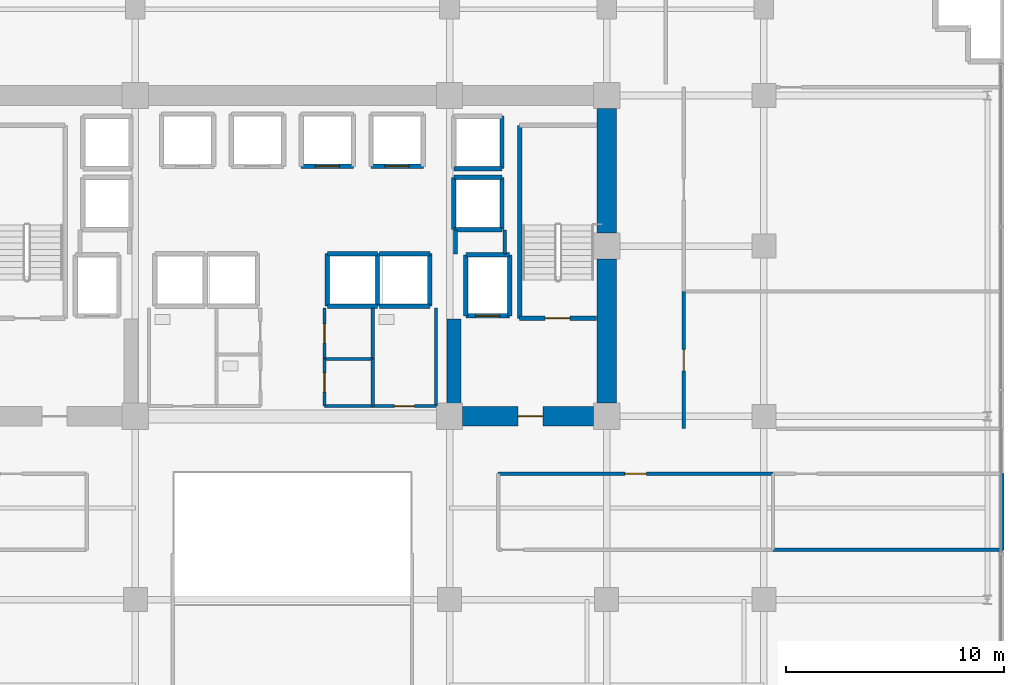
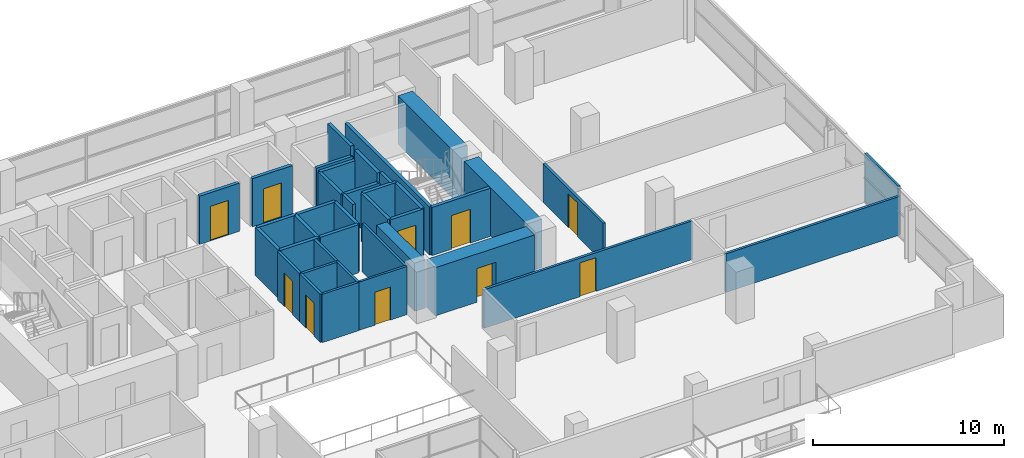
# One storey, part 26 of 31: 39 walls, 10 doors, 10 openings.
"""IFC4 building model written with IfcOpenShell, lengths in metres."""

from ifc_helpers import new_model, si_unit, direction, frame, frame_2d, origin, place, context, subcontext, project, spatial, rectangle, extrude, source, transform, mapped, material, layer, layer_set, type_object, element, fill, save


model = new_model("IFC4")

# Units and contexts
model_context = context("Model", 3, precision=1e-05, world=origin(), true_north=direction((0.0, 1.0)))
body_context = subcontext(model_context, "Body", "Model", "MODEL_VIEW")
ifc_project = project(units=[si_unit("LENGTHUNIT", "METRE"), si_unit("AREAUNIT", "SQUARE_METRE"), si_unit("VOLUMEUNIT", "CUBIC_METRE"), si_unit("PLANEANGLEUNIT", "RADIAN"), si_unit("MASSUNIT", "GRAM", prefix="KILO")], contexts=[model_context])

# Site, building, storey
site_placement = place(None, origin())
site = spatial("IfcSite", under=ifc_project, at=site_placement, CompositionType="ELEMENT")
building_placement = place(site_placement, origin())
building = spatial("IfcBuilding", under=site, at=building_placement, Name="Zarnakvel Exchange Tower", CompositionType="ELEMENT")
storey_placement = place(building_placement, frame((0.0, 0.0, 67.0)))
storey = spatial("IfcBuildingStorey", under=building, at=storey_placement, Name="L18", CompositionType="ELEMENT", Elevation=67.0)

# Walls
ifc_material_1 = material(Name="Concrete C80/95", Category="concrete")
ifc_layer_1 = layer(ifc_material_1, 0.89990234375)
ifc_layer_set_1 = layer_set([ifc_layer_1], Name="Concrete C80/95")
wall_type_1 = type_object("IfcWallType", Name="CW-C1", PredefinedType="SHEAR", material=ifc_layer_set_1)
wall_1_placement = place(storey_placement, frame((14.39990234375, -0.60009765625, 0.0), z_axis=(0.0, 0.0, 1.0), x_axis=(0.0, 1.0, 0.0)))
element("IfcWall", 1, at=wall_1_placement, inside=storey, type_object=wall_type_1, Name="L18 Rear Core Shear Wall E1 (CW-C1)", PredefinedType="SHEAR", context=body_context, shape_type="SweptSolid", body=[
    extrude(rectangle(XDim=6.60009765625, YDim=0.89990234375, at=frame_2d((3.300048828125, 0.0))), origin(), (0.0, 0.0, 1.0), 3.074951171875),
])
wall_2_placement = place(storey_placement, frame((14.39990234375, 7.199951171875, 0.0), z_axis=(0.0, 0.0, 1.0), x_axis=(0.0, 1.0, 0.0)))
element("IfcWall", 2, at=wall_2_placement, inside=storey, type_object=wall_type_1, Name="L18 Rear Core Shear Wall E2 (CW-C1)", PredefinedType="SHEAR", context=body_context, shape_type="SweptSolid", body=[
    extrude(rectangle(XDim=5.699951171875, YDim=0.89990234375, at=frame_2d((2.85009765625, 0.0))), origin(), (0.0, 0.0, 1.0), 3.074951171875),
])

# Wall, opening, door
wall_3_placement = place(storey_placement, frame((13.800048828125, -1.199951171875, 0.0), z_axis=(0.0, 0.0, 1.0), x_axis=(-1.0, 0.0, 0.0)))
wall_3 = element("IfcWall", 3, at=wall_3_placement, inside=storey, type_object=wall_type_1, Name="L18 Rear Core Shear Wall SE (CW-C1)", PredefinedType="SHEAR", context=body_context, shape_type="SweptSolid", body=[
    extrude(rectangle(XDim=6.0, YDim=0.89990234375, at=frame_2d((3.0, 0.0))), origin(), (0.0, 0.0, 1.0), 3.074951171875),
])
opening_1_placement = place(wall_3_placement, frame((2.324951171875, 0.0, 0.0)))
opening_1 = element("IfcOpeningElement", 4, at=opening_1_placement, cuts=wall_3, Name="Opening D-L18-04", PredefinedType="OPENING", context=body_context, shape_type="SweptSolid", body=[
    extrude(rectangle(XDim=1.14990234375, YDim=2.14990234375, at=frame_2d((0.574951171875, 1.074951171875))), frame((0.0, 0.4599609375, 0.0), z_axis=(0.0, -1.0, 0.0), x_axis=(1.0, 0.0, 0.0)), (0.0, 0.0, 1.0), 0.919921875),
])
ifc_material_2 = material(Name="Painted Galvanised Steel S355", Category="steel")
door_type_1 = type_object("IfcDoorType", Name="DT-04", OperationType="NOTDEFINED", PredefinedType="DOOR", material=ifc_material_2)
shared_shape_1 = source(origin(), body_context, "Body", "SweptSolid", [
    extrude(rectangle(XDim=1.14990234375, YDim=2.14990234375, at=frame_2d((0.574951171875, 1.074951171875))), frame((0.0, 0.02490234375, 0.0), z_axis=(0.0, -1.0, 0.0), x_axis=(1.0, 0.0, 0.0)), (0.0, 0.0, 1.0), 0.050048828125),
])
door_1_placement = place(opening_1_placement, origin())
door_1 = element("IfcDoor", 5, at=door_1_placement, inside=storey, type_object=door_type_1, Name="L18 Firefighting Lobby East Door D-L18-04", OperationType="SINGLE_SWING_RIGHT", OverallHeight=2.14990234375, OverallWidth=1.14990234375, PredefinedType="DOOR", context=body_context, shape_type="MappedRepresentation", body=[
    mapped(shared_shape_1, transform((0.0, 0.0, 0.0), x_axis=(1.0, 0.0, 0.0), y_axis=(0.0, 1.0, 0.0), z_axis=(0.0, 0.0, 1.0), scale=1.0)),
])
fill(opening_1, door_1)

# Walls
ifc_layer_2 = layer(ifc_material_1, 0.64990234375)
ifc_layer_set_2 = layer_set([ifc_layer_2], Name="Concrete C80/95")
wall_type_2 = type_object("IfcWallType", Name="CW-C2", PredefinedType="SHEAR", material=ifc_layer_set_2)
wall_4_placement = place(storey_placement, frame((7.39990234375, -0.75, 0.0), z_axis=(0.0, 0.0, 1.0), x_axis=(0.0, 1.0, 0.0)))
element("IfcWall", 6, at=wall_4_placement, inside=storey, type_object=wall_type_2, Name="L18 Rear Core Shear Wall IE (CW-C2)", PredefinedType="SHEAR", context=body_context, shape_type="SweptSolid", body=[
    extrude(rectangle(XDim=4.0, YDim=0.64990234375, at=frame_2d((2.0, 0.0))), origin(), (0.0, 0.0, 1.0), 3.074951171875),
])
ifc_material_3 = material(Name="Fire-Rated Gypsum Stud Partition", Category="gypsum")
ifc_layer_3 = layer(ifc_material_3, 0.14990234375)
ifc_layer_set_3 = layer_set([ifc_layer_3], Name="Fire-Rated Gypsum Stud Partition")
wall_type_3 = type_object("IfcWallType", Name="PT-01", PredefinedType="PARTITIONING", material=ifc_layer_set_3)
for number, where, z_axis, x_axis, name in (
    (7, (3.679931640625, -0.72998046875, 0.0), (0.0, 0.0, 1.0), (-1.0, 0.0, 0.0), "L18 Partition Wall PWALL-L18-018 (PT-01)"),
    (8, (1.469970703125, 1.429931640625, 0.0), (0.0, 0.0, 1.0), (1.0, 0.0, 0.0), "L18 Partition Wall PWALL-L18-019 (PT-01)"),
):
    element("IfcWall", number, at=place(storey_placement, frame(where, z_axis=z_axis, x_axis=x_axis)), inside=storey, type_object=wall_type_3, Name=name, PredefinedType="PARTITIONING", context=body_context, shape_type="SweptSolid", body=[
        extrude(rectangle(XDim=2.2099609375, YDim=0.14990234375, at=frame_2d((1.10498046875, 0.0))), origin(), (0.0, 0.0, 1.0), 3.074951171875),
    ])

# Wall, opening, door
wall_5_placement = place(storey_placement, frame((1.469970703125, -0.72998046875, 0.0), z_axis=(0.0, 0.0, 1.0), x_axis=(0.0, 1.0, 0.0)))
wall_5 = element("IfcWall", 9, at=wall_5_placement, inside=storey, type_object=wall_type_3, Name="L18 Partition Wall PWALL-L18-020 (PT-01)", PredefinedType="PARTITIONING", context=body_context, shape_type="SweptSolid", body=[
    extrude(rectangle(XDim=2.159912109375, YDim=0.14990234375, at=frame_2d((1.080078125, 0.0))), origin(), (0.0, 0.0, 1.0), 3.074951171875),
])
opening_2_placement = place(wall_5_placement, frame((0.639892578125, 0.0, 0.0)))
opening_2 = element("IfcOpeningElement", 10, at=opening_2_placement, cuts=wall_5, Name="Opening D-L18-08", PredefinedType="OPENING", context=body_context, shape_type="SweptSolid", body=[
    extrude(rectangle(XDim=0.8798828125, YDim=2.10009765625, at=frame_2d((0.43994140625, 1.050048828125))), frame((0.0, 0.0849609375, 0.0), z_axis=(0.0, -1.0, 0.0), x_axis=(1.0, 0.0, 0.0)), (0.0, 0.0, 1.0), 0.169921875),
])
door_type_2 = type_object("IfcDoorType", Name="DT-08", OperationType="NOTDEFINED", PredefinedType="DOOR", material=ifc_material_2)
shared_shape_2 = source(origin(), body_context, "Body", "SweptSolid", [
    extrude(rectangle(XDim=0.8798828125, YDim=2.10009765625, at=frame_2d((0.43994140625, 1.050048828125))), frame((0.0, 0.02490234375, 0.0), z_axis=(0.0, -1.0, 0.0), x_axis=(1.0, 0.0, 0.0)), (0.0, 0.0, 1.0), 0.050048828125),
])
door_2_placement = place(opening_2_placement, origin())
door_2 = element("IfcDoor", 11, at=door_2_placement, inside=storey, type_object=door_type_2, Name="L18 Janitor Store Door D-L18-08", OperationType="SINGLE_SWING_RIGHT", OverallHeight=2.10009765625, OverallWidth=0.8798828125, PredefinedType="DOOR", context=body_context, shape_type="MappedRepresentation", body=[
    mapped(shared_shape_2, transform((0.0, 0.0, 0.0), x_axis=(1.0, 0.0, 0.0), y_axis=(0.0, 1.0, 0.0), z_axis=(0.0, 0.0, 1.0), scale=1.0)),
])
fill(opening_2, door_2)

# Wall
wall_6_placement = place(storey_placement, frame((3.679931640625, 1.429931640625, 0.0), z_axis=(0.0, 0.0, 1.0), x_axis=(0.0, -1.0, 0.0)))
element("IfcWall", 12, at=wall_6_placement, inside=storey, type_object=wall_type_3, Name="L18 Partition Wall PWALL-L18-021 (PT-01)", PredefinedType="PARTITIONING", context=body_context, shape_type="SweptSolid", body=[
    extrude(rectangle(XDim=2.159912109375, YDim=0.14990234375, at=frame_2d((1.080078125, 0.0))), origin(), (0.0, 0.0, 1.0), 3.074951171875),
])

# Wall, opening, door
wall_7_placement = place(storey_placement, frame((1.469970703125, 1.429931640625, 0.0), z_axis=(0.0, 0.0, 1.0), x_axis=(0.0, 1.0, 0.0)))
wall_7 = element("IfcWall", 13, at=wall_7_placement, inside=storey, type_object=wall_type_3, Name="L18 Partition Wall PWALL-L18-022 (PT-01)", PredefinedType="PARTITIONING", context=body_context, shape_type="SweptSolid", body=[
    extrude(rectangle(XDim=2.330078125, YDim=0.14990234375, at=frame_2d((1.1650390625, 0.0))), origin(), (0.0, 0.0, 1.0), 3.074951171875),
])
opening_3_placement = place(wall_7_placement, frame((0.72998046875, 0.0, 0.0)))
opening_3 = element("IfcOpeningElement", 14, at=opening_3_placement, cuts=wall_7, Name="Opening D-L18-09", PredefinedType="OPENING", context=body_context, shape_type="SweptSolid", body=[
    extrude(rectangle(XDim=0.8798828125, YDim=2.14990234375, at=frame_2d((0.43994140625, 1.074951171875))), frame((0.0, 0.0849609375, 0.0), z_axis=(0.0, -1.0, 0.0), x_axis=(1.0, 0.0, 0.0)), (0.0, 0.0, 1.0), 0.169921875),
])
ifc_material_4 = material(Name="Timber Acoustic Veneer", Category="wood")
door_type_3 = type_object("IfcDoorType", Name="DT-05", OperationType="NOTDEFINED", PredefinedType="DOOR", material=ifc_material_4)
shared_shape_3 = source(origin(), body_context, "Body", "SweptSolid", [
    extrude(rectangle(XDim=0.8798828125, YDim=2.14990234375, at=frame_2d((0.43994140625, 1.074951171875))), frame((0.0, 0.02490234375, 0.0), z_axis=(0.0, -1.0, 0.0), x_axis=(1.0, 0.0, 0.0)), (0.0, 0.0, 1.0), 0.050048828125),
])
door_3_placement = place(opening_3_placement, origin())
door_3 = element("IfcDoor", 15, at=door_3_placement, inside=storey, type_object=door_type_3, Name="L18 Stationery Store Door D-L18-09", OperationType="SINGLE_SWING_LEFT", OverallHeight=2.14990234375, OverallWidth=0.8798828125, PredefinedType="DOOR", context=body_context, shape_type="MappedRepresentation", body=[
    mapped(shared_shape_3, transform((0.0, 0.0, 0.0), x_axis=(1.0, 0.0, 0.0), y_axis=(0.0, 1.0, 0.0), z_axis=(0.0, 0.0, 1.0), scale=1.0)),
])
fill(opening_3, door_3)

# Wall
wall_8_placement = place(storey_placement, frame((3.679931640625, 3.760009765625, 0.0), z_axis=(0.0, 0.0, 1.0), x_axis=(0.0, -1.0, 0.0)))
element("IfcWall", 16, at=wall_8_placement, inside=storey, type_object=wall_type_3, Name="L18 Partition Wall PWALL-L18-023 (PT-01)", PredefinedType="PARTITIONING", context=body_context, shape_type="SweptSolid", body=[
    extrude(rectangle(XDim=2.330078125, YDim=0.14990234375, at=frame_2d((1.1650390625, 0.0))), origin(), (0.0, 0.0, 1.0), 3.074951171875),
])

# Wall, opening, door
wall_9_placement = place(storey_placement, frame((9.429931640625, -3.830078125, 0.0), z_axis=(0.0, 0.0, 1.0), x_axis=(1.0, 0.0, 0.0)))
wall_9 = element("IfcWall", 17, at=wall_9_placement, inside=storey, type_object=wall_type_3, Name="L18 Partition Wall PWALL-L18-040 (PT-01)", PredefinedType="PARTITIONING", context=body_context, shape_type="SweptSolid", body=[
    extrude(rectangle(XDim=12.58544921875, YDim=0.14990234375, at=frame_2d((6.292724609375, 0.0))), origin(), (0.0, 0.0, 1.0), 2.465087890625),
])
opening_4_placement = place(wall_9_placement, frame((5.802978515625, 0.0, 0.0)))
opening_4 = element("IfcOpeningElement", 18, at=opening_4_placement, cuts=wall_9, Name="Opening D-L18-15", PredefinedType="OPENING", context=body_context, shape_type="SweptSolid", body=[
    extrude(rectangle(XDim=0.97998046875, YDim=2.14990234375, at=frame_2d((0.489990234375, 1.074951171875))), frame((0.0, 0.0849609375, 0.0), z_axis=(0.0, -1.0, 0.0), x_axis=(1.0, 0.0, 0.0)), (0.0, 0.0, 1.0), 0.169921875),
])
shared_shape_4 = source(origin(), body_context, "Body", "SweptSolid", [
    extrude(rectangle(XDim=0.97998046875, YDim=2.14990234375, at=frame_2d((0.489990234375, 1.074951171875))), frame((0.0, 0.02490234375, 0.0), z_axis=(0.0, -1.0, 0.0), x_axis=(1.0, 0.0, 0.0)), (0.0, 0.0, 1.0), 0.050048828125),
])
door_4_placement = place(opening_4_placement, origin())
door_4 = element("IfcDoor", 19, at=door_4_placement, inside=storey, type_object=door_type_3, Name="L18 Meeting Room Door D-L18-15", OperationType="SINGLE_SWING_LEFT", OverallHeight=2.14990234375, OverallWidth=0.97998046875, PredefinedType="DOOR", context=body_context, shape_type="MappedRepresentation", body=[
    mapped(shared_shape_4, transform((0.0, 0.0, 0.0), x_axis=(1.0, 0.0, 0.0), y_axis=(0.0, 1.0, 0.0), z_axis=(0.0, 0.0, 1.0), scale=1.0)),
])
fill(opening_4, door_4)

# Walls
wall_10_placement = place(storey_placement, frame((32.530029296875, -7.320068359375, 0.0), z_axis=(0.0, 0.0, 1.0), x_axis=(-1.0, 0.0, 0.0)))
element("IfcWall", 20, at=wall_10_placement, inside=storey, type_object=wall_type_3, Name="L18 Partition Wall PWALL-L18-043 (PT-01)", PredefinedType="PARTITIONING", context=body_context, shape_type="SweptSolid", body=[
    extrude(rectangle(XDim=10.5146484375, YDim=0.14990234375, at=frame_2d((5.25732421875, 0.0))), origin(), (0.0, 0.0, 1.0), 2.465087890625),
])
wall_11_placement = place(storey_placement, frame((32.530029296875, -3.830078125, 0.0), z_axis=(0.0, 0.0, 1.0), x_axis=(0.0, -1.0, 0.0)))
element("IfcWall", 21, at=wall_11_placement, inside=storey, type_object=wall_type_3, Name="L18 Partition Wall PWALL-L18-045 (PT-01)", PredefinedType="PARTITIONING", context=body_context, shape_type="SweptSolid", body=[
    extrude(rectangle(XDim=3.489990234375, YDim=0.14990234375, at=frame_2d((1.7451171875, 0.0))), origin(), (0.0, 0.0, 1.0), 3.074951171875),
])

# Wall, opening, door
wall_12_placement = place(storey_placement, frame((17.929931640625, -1.77001953125, 0.0), z_axis=(0.0, 0.0, 1.0), x_axis=(0.0, 1.0, 0.0)))
wall_12 = element("IfcWall", 22, at=wall_12_placement, inside=storey, type_object=wall_type_3, Name="L18 Partition Wall PWALL-L18-060 (PT-01)", PredefinedType="PARTITIONING", context=body_context, shape_type="SweptSolid", body=[
    extrude(rectangle(XDim=6.2919921875, YDim=0.14990234375, at=frame_2d((3.14599609375, 0.0))), origin(), (0.0, 0.0, 1.0), 2.465087890625),
])
opening_5_placement = place(wall_12_placement, frame((2.656005859375, 0.0, 0.0)))
opening_5 = element("IfcOpeningElement", 23, at=opening_5_placement, cuts=wall_12, Name="Opening D-L18-21", PredefinedType="OPENING", context=body_context, shape_type="SweptSolid", body=[
    extrude(rectangle(XDim=0.97998046875, YDim=2.14990234375, at=frame_2d((0.489990234375, 1.074951171875))), frame((0.0, 0.0849609375, 0.0), z_axis=(0.0, -1.0, 0.0), x_axis=(1.0, 0.0, 0.0)), (0.0, 0.0, 1.0), 0.169921875),
])
door_5_placement = place(opening_5_placement, origin())
door_5 = element("IfcDoor", 24, at=door_5_placement, inside=storey, type_object=door_type_3, Name="L18 Staff Pantry Door D-L18-21", OperationType="SINGLE_SWING_LEFT", OverallHeight=2.14990234375, OverallWidth=0.97998046875, PredefinedType="DOOR", context=body_context, shape_type="MappedRepresentation", body=[
    mapped(shared_shape_4, transform((0.0, 0.0, 0.0), x_axis=(1.0, 0.0, 0.0), y_axis=(0.0, 1.0, 0.0), z_axis=(0.0, 0.0, 1.0), scale=1.0)),
])
fill(opening_5, door_5)

# Walls
ifc_layer_4 = layer(ifc_material_3, 0.179931640625)
ifc_layer_set_4 = layer_set([ifc_layer_4], Name="Fire-Rated Gypsum Stud Partition")
wall_type_4 = type_object("IfcWallType", Name="PT-02", PredefinedType="PARTITIONING", material=ifc_layer_set_4)
wall_13_placement = place(storey_placement, frame((7.469970703125, 6.239990234375, 0.0), z_axis=(0.0, 0.0, 1.0), x_axis=(0.0, 1.0, 0.0)))
element("IfcWall", 25, at=wall_13_placement, inside=storey, type_object=wall_type_4, Name="L18 Partition Wall PWALL-L18-009 (PT-02)", PredefinedType="PARTITIONING", context=body_context, shape_type="SweptSolid", body=[
    extrude(rectangle(XDim=1.090087890625, YDim=0.179931640625, at=frame_2d((0.544921875, 0.0))), origin(), (0.0, 0.0, 1.0), 2.465087890625),
])
wall_14_placement = place(storey_placement, frame((9.72998046875, 7.330078125, 0.0), z_axis=(0.0, 0.0, 1.0), x_axis=(0.0, -1.0, 0.0)))
element("IfcWall", 26, at=wall_14_placement, inside=storey, type_object=wall_type_4, Name="L18 Partition Wall PWALL-L18-010 (PT-02)", PredefinedType="PARTITIONING", context=body_context, shape_type="SweptSolid", body=[
    extrude(rectangle(XDim=1.090087890625, YDim=0.179931640625, at=frame_2d((0.544921875, 0.0))), origin(), (0.0, 0.0, 1.0), 3.074951171875),
])

# Wall, opening, door
ifc_material_5 = material(Name="Moisture-Resistant Tile-Faced Partition", Category="gypsum")
ifc_layer_5 = layer(ifc_material_5, 0.135009765625)
ifc_layer_set_5 = layer_set([ifc_layer_5], Name="Moisture-Resistant Tile-Faced Partition")
wall_type_5 = type_object("IfcWallType", Name="PT-03", PredefinedType="PARTITIONING", material=ifc_layer_set_5)
wall_15_placement = place(storey_placement, frame((6.580078125, -0.72998046875, 0.0), z_axis=(0.0, 0.0, 1.0), x_axis=(-1.0, 0.0, 0.0)))
wall_15 = element("IfcWall", 27, at=wall_15_placement, inside=storey, type_object=wall_type_5, Name="L18 Partition Wall PWALL-L18-024 (PT-03)", PredefinedType="PARTITIONING", context=body_context, shape_type="SweptSolid", body=[
    extrude(rectangle(XDim=2.900146484375, YDim=0.135009765625, at=frame_2d((1.4501953125, 0.0))), origin(), (0.0, 0.0, 1.0), 3.074951171875),
])
opening_6_placement = place(wall_15_placement, frame((0.989990234375, 0.0, 0.0)))
opening_6 = element("IfcOpeningElement", 28, at=opening_6_placement, cuts=wall_15, Name="Opening D-L18-10", PredefinedType="OPENING", context=body_context, shape_type="SweptSolid", body=[
    extrude(rectangle(XDim=0.919921875, YDim=2.10009765625, at=frame_2d((0.4599609375, 1.050048828125))), frame((0.0, 0.077392578125, 0.0), z_axis=(0.0, -1.0, 0.0), x_axis=(1.0, 0.0, 0.0)), (0.0, 0.0, 1.0), 0.155029296875),
])
ifc_material_6 = material(Name="Moisture-Resistant Laminate Timber", Category="wood")
door_type_4 = type_object("IfcDoorType", Name="DT-07", OperationType="NOTDEFINED", PredefinedType="DOOR", material=ifc_material_6)
shared_shape_5 = source(origin(), body_context, "Body", "SweptSolid", [
    extrude(rectangle(XDim=0.919921875, YDim=2.10009765625, at=frame_2d((0.4599609375, 1.050048828125))), frame((0.0, 0.02490234375, 0.0), z_axis=(0.0, -1.0, 0.0), x_axis=(1.0, 0.0, 0.0)), (0.0, 0.0, 1.0), 0.050048828125),
])
door_6_placement = place(opening_6_placement, origin())
door_6 = element("IfcDoor", 29, at=door_6_placement, inside=storey, type_object=door_type_4, Name="L18 Female Toilet Door D-L18-10", OperationType="SINGLE_SWING_RIGHT", OverallHeight=2.10009765625, OverallWidth=0.919921875, PredefinedType="DOOR", context=body_context, shape_type="MappedRepresentation", body=[
    mapped(shared_shape_5, transform((0.0, 0.0, 0.0), x_axis=(1.0, 0.0, 0.0), y_axis=(0.0, 1.0, 0.0), z_axis=(0.0, 0.0, 1.0), scale=1.0)),
])
fill(opening_6, door_6)

# Wall
wall_16_placement = place(storey_placement, frame((6.580078125, 3.760009765625, 0.0), z_axis=(0.0, 0.0, 1.0), x_axis=(0.0, -1.0, 0.0)))
element("IfcWall", 30, at=wall_16_placement, inside=storey, type_object=wall_type_5, Name="L18 Partition Wall PWALL-L18-025 (PT-03)", PredefinedType="PARTITIONING", context=body_context, shape_type="SweptSolid", body=[
    extrude(rectangle(XDim=4.489990234375, YDim=0.135009765625, at=frame_2d((2.2451171875, 0.0))), origin(), (0.0, 0.0, 1.0), 3.074951171875),
])

# Wall, opening, door
ifc_material_7 = material(Name="Concrete C40/50", Category="concrete")
ifc_layer_6 = layer(ifc_material_7, 0.199951171875)
ifc_layer_set_6 = layer_set([ifc_layer_6], Name="Concrete C40/50")
wall_type_6 = type_object("IfcWallType", Name="SW-01", PredefinedType="SOLIDWALL", material=ifc_layer_set_6)
wall_17_placement = place(storey_placement, frame((9.949951171875, 3.39990234375, 0.0), z_axis=(0.0, 0.0, 1.0), x_axis=(-1.0, 0.0, 0.0)))
wall_17 = element("IfcWall", 31, at=wall_17_placement, inside=storey, type_object=wall_type_6, Name="L18 FL-02 Hoistway Wall South", PredefinedType="SOLIDWALL", context=body_context, shape_type="SweptSolid", body=[
    extrude(rectangle(XDim=2.0, YDim=0.199951171875, at=frame_2d((1.0, 0.0))), origin(), (0.0, 0.0, 1.0), 3.074951171875),
])
opening_7_placement = place(wall_17_placement, frame((0.449951171875, 0.0, 0.0)))
opening_7 = element("IfcOpeningElement", 32, at=opening_7_placement, cuts=wall_17, Name="Opening LD-FL-02-L18", PredefinedType="OPENING", context=body_context, shape_type="SweptSolid", body=[
    extrude(rectangle(XDim=1.10009765625, YDim=2.199951171875, at=frame_2d((0.550048828125, 1.10009765625))), frame((0.0, 0.10986328125, 0.0), z_axis=(0.0, -1.0, 0.0), x_axis=(1.0, 0.0, 0.0)), (0.0, 0.0, 1.0), 0.219970703125),
])
ifc_material_8 = material(Name="Brushed Stainless Steel", Category="steel")
door_type_5 = type_object("IfcDoorType", Name="LDT-01", OperationType="NOTDEFINED", PredefinedType="DOOR", material=ifc_material_8)
shared_shape_6 = source(origin(), body_context, "Body", "SweptSolid", [
    extrude(rectangle(XDim=1.10009765625, YDim=2.199951171875, at=frame_2d((0.550048828125, 1.10009765625))), frame((0.0, 0.02490234375, 0.0), z_axis=(0.0, -1.0, 0.0), x_axis=(1.0, 0.0, 0.0)), (0.0, 0.0, 1.0), 0.050048828125),
])
door_7_placement = place(opening_7_placement, origin())
door_7 = element("IfcDoor", 33, at=door_7_placement, inside=storey, type_object=door_type_5, Name="L18 FL-02 Lift Landing Door LD-FL-02-L18", OperationType="DOUBLE_DOOR_SLIDING", OverallHeight=2.199951171875, OverallWidth=1.10009765625, PredefinedType="DOOR", context=body_context, shape_type="MappedRepresentation", body=[
    mapped(shared_shape_6, transform((0.0, 0.0, 0.0), x_axis=(1.0, 0.0, 0.0), y_axis=(0.0, 1.0, 0.0), z_axis=(0.0, 0.0, 1.0), scale=1.0)),
])
fill(opening_7, door_7)

# Walls
wall_18_placement = place(storey_placement, frame((7.949951171875, 6.199951171875, 0.0), z_axis=(0.0, 0.0, 1.0), x_axis=(1.0, 0.0, 0.0)))
element("IfcWall", 34, at=wall_18_placement, inside=storey, type_object=wall_type_6, Name="L18 FL-02 Hoistway Wall North", PredefinedType="SOLIDWALL", context=body_context, shape_type="SweptSolid", body=[
    extrude(rectangle(XDim=2.0, YDim=0.199951171875, at=frame_2d((1.0, 0.0))), origin(), (0.0, 0.0, 1.0), 3.074951171875),
])
for number, where, z_axis, x_axis, name in (
    (35, (7.949951171875, 3.39990234375, 0.0), (0.0, 0.0, 1.0), (0.0, 1.0, 0.0), "L18 FL-02 Hoistway Wall West"),
    (36, (9.949951171875, 6.199951171875, 0.0), (0.0, 0.0, 1.0), (0.0, -1.0, 0.0), "L18 FL-02 Hoistway Wall East"),
):
    element("IfcWall", number, at=place(storey_placement, frame(where, z_axis=z_axis, x_axis=x_axis)), inside=storey, type_object=wall_type_6, Name=name, PredefinedType="SOLIDWALL", context=body_context, shape_type="SweptSolid", body=[
        extrude(rectangle(XDim=2.800048828125, YDim=0.199951171875, at=frame_2d((1.39990234375, 0.0))), origin(), (0.0, 0.0, 1.0), 3.074951171875),
    ])

# Wall, opening, door
wall_19_placement = place(storey_placement, frame((2.800048828125, 10.25, 0.0), z_axis=(0.0, 0.0, 1.0), x_axis=(-1.0, 0.0, 0.0)))
wall_19 = element("IfcWall", 37, at=wall_19_placement, inside=storey, type_object=wall_type_6, Name="L18 PL-03 Hoistway Wall South", PredefinedType="SOLIDWALL", context=body_context, shape_type="SweptSolid", body=[
    extrude(rectangle(XDim=2.400146484375, YDim=0.199951171875, at=frame_2d((1.2001953125, 0.0))), origin(), (0.0, 0.0, 1.0), 3.074951171875),
])
opening_8_placement = place(wall_19_placement, frame((0.64990234375, 0.0, 0.0)))
opening_8 = element("IfcOpeningElement", 38, at=opening_8_placement, cuts=wall_19, Name="Opening LD-PL-03-L18", PredefinedType="OPENING", context=body_context, shape_type="SweptSolid", body=[
    extrude(rectangle(XDim=1.10009765625, YDim=2.199951171875, at=frame_2d((0.550048828125, 1.10009765625))), frame((0.0, 0.10986328125, 0.0), z_axis=(0.0, -1.0, 0.0), x_axis=(1.0, 0.0, 0.0)), (0.0, 0.0, 1.0), 0.219970703125),
])
ifc_material_9 = material(Name="Architectural Bronze Anodised Aluminium", Category="aluminium")
door_type_6 = type_object("IfcDoorType", Name="LDT-02", OperationType="NOTDEFINED", PredefinedType="DOOR", material=ifc_material_9)
door_8_placement = place(opening_8_placement, origin())
door_8 = element("IfcDoor", 39, at=door_8_placement, inside=storey, type_object=door_type_6, Name="L18 PL-03 Lift Landing Door LD-PL-03-L18", OperationType="DOUBLE_DOOR_SLIDING", OverallHeight=2.199951171875, OverallWidth=1.10009765625, PredefinedType="DOOR", context=body_context, shape_type="MappedRepresentation", body=[
    mapped(shared_shape_6, transform((0.0, 0.0, 0.0), x_axis=(1.0, 0.0, 0.0), y_axis=(0.0, 1.0, 0.0), z_axis=(0.0, 0.0, 1.0), scale=1.0)),
])
fill(opening_8, door_8)

wall_20_placement = place(storey_placement, frame((6.0, 10.25, 0.0), z_axis=(0.0, 0.0, 1.0), x_axis=(-1.0, 0.0, 0.0)))
wall_20 = element("IfcWall", 40, at=wall_20_placement, inside=storey, type_object=wall_type_6, Name="L18 PL-04 Hoistway Wall South", PredefinedType="SOLIDWALL", context=body_context, shape_type="SweptSolid", body=[
    extrude(rectangle(XDim=2.39990234375, YDim=0.199951171875, at=frame_2d((1.199951171875, 0.0))), origin(), (0.0, 0.0, 1.0), 3.074951171875),
])
opening_9_placement = place(wall_20_placement, frame((0.64990234375, 0.0, 0.0)))
opening_9 = element("IfcOpeningElement", 41, at=opening_9_placement, cuts=wall_20, Name="Opening LD-PL-04-L18", PredefinedType="OPENING", context=body_context, shape_type="SweptSolid", body=[
    extrude(rectangle(XDim=1.10009765625, YDim=2.199951171875, at=frame_2d((0.550048828125, 1.10009765625))), frame((0.0, 0.10986328125, 0.0), z_axis=(0.0, -1.0, 0.0), x_axis=(1.0, 0.0, 0.0)), (0.0, 0.0, 1.0), 0.219970703125),
])
door_9_placement = place(opening_9_placement, origin())
door_9 = element("IfcDoor", 42, at=door_9_placement, inside=storey, type_object=door_type_6, Name="L18 PL-04 Lift Landing Door LD-PL-04-L18", OperationType="DOUBLE_DOOR_SLIDING", OverallHeight=2.199951171875, OverallWidth=1.10009765625, PredefinedType="DOOR", context=body_context, shape_type="MappedRepresentation", body=[
    mapped(shared_shape_6, transform((0.0, 0.0, 0.0), x_axis=(1.0, 0.0, 0.0), y_axis=(0.0, 1.0, 0.0), z_axis=(0.0, 0.0, 1.0), scale=1.0)),
])
fill(opening_9, door_9)

# Walls
for number, where, z_axis, x_axis, name in (
    (43, (3.89990234375, 3.85009765625, 0.0), (0.0, 0.0, 1.0), (-1.0, 0.0, 0.0), "L18 PL-07 Hoistway Wall South"),
    (44, (1.60009765625, 6.25, 0.0), (0.0, 0.0, 1.0), (1.0, 0.0, 0.0), "L18 PL-07 Hoistway Wall North"),
):
    element("IfcWall", number, at=place(storey_placement, frame(where, z_axis=z_axis, x_axis=x_axis)), inside=storey, type_object=wall_type_6, Name=name, PredefinedType="SOLIDWALL", context=body_context, shape_type="SweptSolid", body=[
        extrude(rectangle(XDim=2.2998046875, YDim=0.199951171875, at=frame_2d((1.14990234375, 0.0))), origin(), (0.0, 0.0, 1.0), 3.074951171875),
    ])
for number, where, z_axis, x_axis, name in (
    (45, (1.60009765625, 3.85009765625, 0.0), (0.0, 0.0, 1.0), (0.0, 1.0, 0.0), "L18 PL-07 Hoistway Wall West"),
    (46, (3.89990234375, 6.25, 0.0), (0.0, 0.0, 1.0), (0.0, -1.0, 0.0), "L18 PL-07 Hoistway Wall East"),
):
    element("IfcWall", number, at=place(storey_placement, frame(where, z_axis=z_axis, x_axis=x_axis)), inside=storey, type_object=wall_type_6, Name=name, PredefinedType="SOLIDWALL", context=body_context, shape_type="SweptSolid", body=[
        extrude(rectangle(XDim=2.39990234375, YDim=0.199951171875, at=frame_2d((1.199951171875, 0.0))), origin(), (0.0, 0.0, 1.0), 3.074951171875),
    ])
for number, where, z_axis, x_axis, name in (
    (47, (6.300048828125, 3.85009765625, 0.0), (0.0, 0.0, 1.0), (-1.0, 0.0, 0.0), "L18 PL-08 Hoistway Wall South"),
    (48, (4.0, 6.25, 0.0), (0.0, 0.0, 1.0), (1.0, 0.0, 0.0), "L18 PL-08 Hoistway Wall North"),
):
    element("IfcWall", number, at=place(storey_placement, frame(where, z_axis=z_axis, x_axis=x_axis)), inside=storey, type_object=wall_type_6, Name=name, PredefinedType="SOLIDWALL", context=body_context, shape_type="SweptSolid", body=[
        extrude(rectangle(XDim=2.300048828125, YDim=0.199951171875, at=frame_2d((1.14990234375, 0.0))), origin(), (0.0, 0.0, 1.0), 3.074951171875),
    ])
wall_21_placement = place(storey_placement, frame((6.300048828125, 6.25, 0.0), z_axis=(0.0, 0.0, 1.0), x_axis=(0.0, -1.0, 0.0)))
element("IfcWall", 49, at=wall_21_placement, inside=storey, type_object=wall_type_6, Name="L18 PL-08 Hoistway Wall East", PredefinedType="SOLIDWALL", context=body_context, shape_type="SweptSolid", body=[
    extrude(rectangle(XDim=2.39990234375, YDim=0.199951171875, at=frame_2d((1.199951171875, 0.0))), origin(), (0.0, 0.0, 1.0), 3.074951171875),
])
for number, where, z_axis, x_axis, name in (
    (50, (9.60009765625, 7.35009765625, 0.0), (0.0, 0.0, 1.0), (-1.0, 0.0, 0.0), "L18 PL-11 Hoistway Wall South"),
    (51, (7.39990234375, 9.75, 0.0), (0.0, 0.0, 1.0), (1.0, 0.0, 0.0), "L18 PL-11 Hoistway Wall North"),
):
    element("IfcWall", number, at=place(storey_placement, frame(where, z_axis=z_axis, x_axis=x_axis)), inside=storey, type_object=wall_type_6, Name=name, PredefinedType="SOLIDWALL", context=body_context, shape_type="SweptSolid", body=[
        extrude(rectangle(XDim=2.2001953125, YDim=0.199951171875, at=frame_2d((1.10009765625, 0.0))), origin(), (0.0, 0.0, 1.0), 2.465087890625),
    ])
wall_22_placement = place(storey_placement, frame((7.39990234375, 7.35009765625, 0.0), z_axis=(0.0, 0.0, 1.0), x_axis=(0.0, 1.0, 0.0)))
element("IfcWall", 52, at=wall_22_placement, inside=storey, type_object=wall_type_6, Name="L18 PL-11 Hoistway Wall West", PredefinedType="SOLIDWALL", context=body_context, shape_type="SweptSolid", body=[
    extrude(rectangle(XDim=2.39990234375, YDim=0.199951171875, at=frame_2d((1.199951171875, 0.0))), origin(), (0.0, 0.0, 1.0), 2.465087890625),
])
wall_23_placement = place(storey_placement, frame((9.60009765625, 9.75, 0.0), z_axis=(0.0, 0.0, 1.0), x_axis=(0.0, -1.0, 0.0)))
element("IfcWall", 53, at=wall_23_placement, inside=storey, type_object=wall_type_6, Name="L18 PL-11 Hoistway Wall East", PredefinedType="SOLIDWALL", context=body_context, shape_type="SweptSolid", body=[
    extrude(rectangle(XDim=2.39990234375, YDim=0.199951171875, at=frame_2d((1.199951171875, 0.0))), origin(), (0.0, 0.0, 1.0), 3.074951171875),
])
wall_24_placement = place(storey_placement, frame((9.60009765625, 10.14990234375, 0.0), z_axis=(0.0, 0.0, 1.0), x_axis=(-1.0, 0.0, 0.0)))
element("IfcWall", 54, at=wall_24_placement, inside=storey, type_object=wall_type_6, Name="L18 PL-12 Hoistway Wall South", PredefinedType="SOLIDWALL", context=body_context, shape_type="SweptSolid", body=[
    extrude(rectangle(XDim=2.2001953125, YDim=0.199951171875, at=frame_2d((1.10009765625, 0.0))), origin(), (0.0, 0.0, 1.0), 2.465087890625),
])
wall_25_placement = place(storey_placement, frame((9.60009765625, 12.550048828125, 0.0), z_axis=(0.0, 0.0, 1.0), x_axis=(0.0, -1.0, 0.0)))
element("IfcWall", 55, at=wall_25_placement, inside=storey, type_object=wall_type_6, Name="L18 PL-12 Hoistway Wall East", PredefinedType="SOLIDWALL", context=body_context, shape_type="SweptSolid", body=[
    extrude(rectangle(XDim=2.400146484375, YDim=0.199951171875, at=frame_2d((1.2001953125, 0.0))), origin(), (0.0, 0.0, 1.0), 3.074951171875),
])

# Wall, opening, door
ifc_layer_7 = layer(ifc_material_7, 0.199951171875)
ifc_layer_set_7 = layer_set([ifc_layer_7], Name="Concrete C40/50")
wall_type_7 = type_object("IfcWallType", Name="SW-02", PredefinedType="SOLIDWALL", material=ifc_layer_set_7)
wall_26_placement = place(storey_placement, frame((13.929931640625, 3.2900390625, 0.0), z_axis=(0.0, 0.0, 1.0), x_axis=(-1.0, 0.0, 0.0)))
wall_26 = element("IfcWall", 56, at=wall_26_placement, inside=storey, type_object=wall_type_7, Name="L18 Stairwell Core Wall PWALL-L18-004 (SW-02)", PredefinedType="SOLIDWALL", context=body_context, shape_type="SweptSolid", body=[
    extrude(rectangle(XDim=3.52001953125, YDim=0.199951171875, at=frame_2d((1.760009765625, 0.0))), origin(), (0.0, 0.0, 1.0), 3.074951171875),
])
opening_10_placement = place(wall_26_placement, frame((1.205078125, 0.0, 0.0)))
opening_10 = element("IfcOpeningElement", 57, at=opening_10_placement, cuts=wall_26, Name="Opening D-L18-02", PredefinedType="OPENING", context=body_context, shape_type="SweptSolid", body=[
    extrude(rectangle(XDim=1.14990234375, YDim=2.14990234375, at=frame_2d((0.574951171875, 1.074951171875))), frame((0.0, 0.10986328125, 0.0), z_axis=(0.0, -1.0, 0.0), x_axis=(1.0, 0.0, 0.0)), (0.0, 0.0, 1.0), 0.219970703125),
])
door_10_placement = place(opening_10_placement, origin())
door_10 = element("IfcDoor", 58, at=door_10_placement, inside=storey, type_object=door_type_1, Name="L18 Stairwell ST-02 Door D-L18-02", OperationType="SINGLE_SWING_RIGHT", OverallHeight=2.14990234375, OverallWidth=1.14990234375, PredefinedType="DOOR", context=body_context, shape_type="MappedRepresentation", body=[
    mapped(shared_shape_1, transform((0.0, 0.0, 0.0), x_axis=(1.0, 0.0, 0.0), y_axis=(0.0, 1.0, 0.0), z_axis=(0.0, 0.0, 1.0), scale=1.0)),
])
fill(opening_10, door_10)

# Wall
wall_27_placement = place(storey_placement, frame((10.409912109375, 3.2900390625, 0.0), z_axis=(0.0, 0.0, 1.0), x_axis=(0.0, 1.0, 0.0)))
element("IfcWall", 59, at=wall_27_placement, inside=storey, type_object=wall_type_7, Name="L18 Stairwell Core Wall PWALL-L18-006 (SW-02)", PredefinedType="SOLIDWALL", context=body_context, shape_type="SweptSolid", body=[
    extrude(rectangle(XDim=8.83984375, YDim=0.199951171875, at=frame_2d((4.419921875, 0.0))), origin(), (0.0, 0.0, 1.0), 3.074951171875),
])

save(model, "model.ifc")
